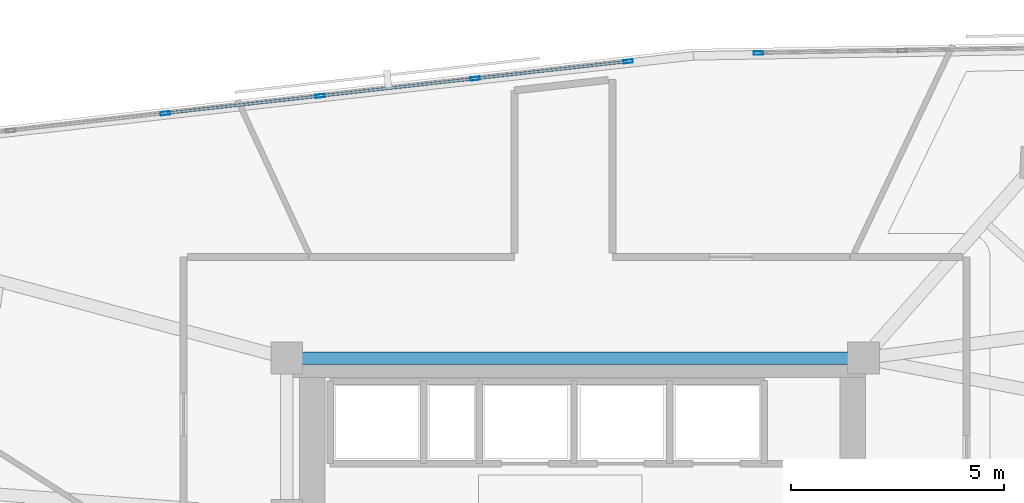
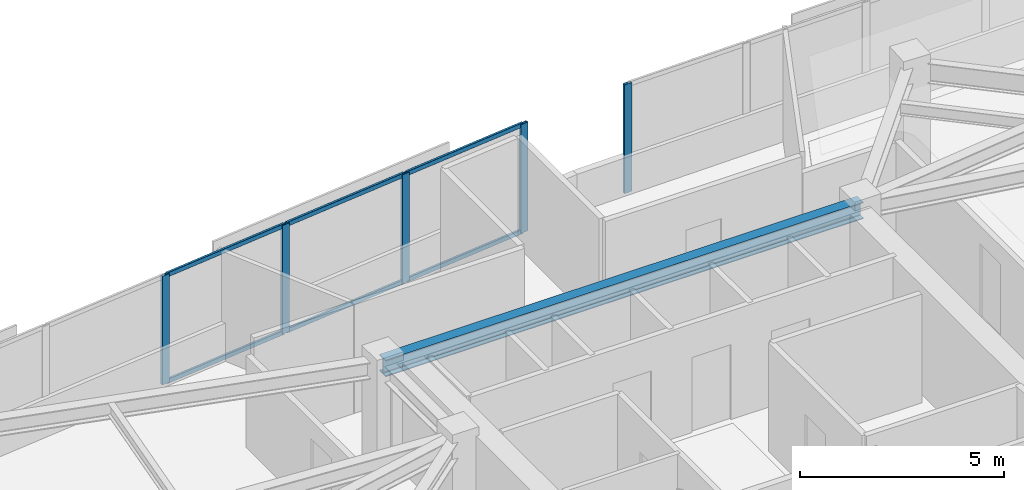
# One storey, part 3 of 13: 11 members, 1 beam, 2 elements without a shape of their own.
"""IFC4 building model written with IfcOpenShell, lengths in metres."""

from ifc_helpers import new_model, si_unit, direction, frame, origin, origin_2d, place, context, subcontext, project, spatial, hollow_rectangle, i_section, extrude, material, material_profile, profile_set, type_object, element, aggregate, save


model = new_model("IFC4")

# Units and contexts
model_context = context("Model", 3, precision=1e-05, world=origin(), true_north=direction((0.0, 1.0)))
body_context = subcontext(model_context, "Body", "Model", "MODEL_VIEW")
ifc_project = project(units=[si_unit("LENGTHUNIT", "METRE"), si_unit("AREAUNIT", "SQUARE_METRE"), si_unit("VOLUMEUNIT", "CUBIC_METRE"), si_unit("PLANEANGLEUNIT", "RADIAN"), si_unit("MASSUNIT", "GRAM", prefix="KILO")], contexts=[model_context])

# Site, building, storey
site_placement = place(None, origin())
site = spatial("IfcSite", under=ifc_project, at=site_placement, CompositionType="ELEMENT")
building_placement = place(site_placement, origin())
building = spatial("IfcBuilding", under=site, at=building_placement, Name="Narakoshi Arena Tower", CompositionType="ELEMENT")
storey_placement = place(building_placement, frame((0.0, 0.0, 271.300048828125)))
storey = spatial("IfcBuildingStorey", under=building, at=storey_placement, Name="L74", CompositionType="ELEMENT", Elevation=271.300048828125)

# Beam
ifc_material_1 = material(Name="Structural steel S355J2", Category="steel")
ifc_material_profile_1 = material_profile(ifc_material_1, i_section(OverallWidth=0.300048828125, OverallDepth=0.5, WebThickness=0.014404296875, FlangeThickness=0.028076171875, FilletRadius=0.027099609375, at=origin_2d()), Name="HE500B")
ifc_profile_set_1 = profile_set([ifc_material_profile_1], Name="Structural steel S355J2")
beam_type = type_object("IfcBeamType", Name="BM-PRI-500", PredefinedType="BEAM", material=ifc_profile_set_1)
beam_placement = place(storey_placement, frame((72.0, 56.5, 3.010009765625), z_axis=(1.0, 0.0, 0.0), x_axis=(0.0, 1.0, 0.0)))
element("IfcBeam", 1, at=beam_placement, inside=storey, type_object=beam_type, Name="L74 Core Perimeter Frame Beam CC5-CC6", PredefinedType="BEAM", context=body_context, shape_type="SweptSolid", body=[
    extrude(i_section(OverallWidth=0.300048828125, OverallDepth=0.5, WebThickness=0.014404296875, FlangeThickness=0.028076171875, FilletRadius=0.027099609375, at=origin_2d()), origin(), (0.0, 0.0, 1.0), 13.550048828125),
])

# Curtain wall, member
ifc_material_2 = material(Name="Anodised bronze aluminium 6063-T6", Category="aluminium")
curtain_wall_type = type_object("IfcCurtainWallType", Name="CW-HYP-HIGH", PredefinedType="NOTDEFINED", material=ifc_material_2)
curtain_wall_1_placement = place(storey_placement, origin())
curtain_wall_1 = element("IfcCurtainWall", 2, at=curtain_wall_1_placement, inside=storey, type_object=curtain_wall_type, Name="L74 Folded Hypotenuse Curtain Wall 1-1", PredefinedType="NOTDEFINED")
ifc_material_profile_2 = material_profile(ifc_material_2, hollow_rectangle(XDim=0.080078125, YDim=0.219970703125, WallThickness=0.0048828125, OuterFilletRadius=0.006103515625, at=origin_2d()), Name="MUL220x80x5")
ifc_profile_set_2 = profile_set([ifc_material_profile_2], Name="Anodised bronze aluminium 6063-T6")
member_type_1 = type_object("IfcMemberType", Name="MEM-MUL-220", PredefinedType="MULLION", material=ifc_profile_set_2)
member_1_placement = place(storey_placement, frame((83.08056640625, 63.668212890625, 0.0), z_axis=(0.0, 0.0, 1.0), x_axis=(0.016442997569, -0.999864804777, 0.0)))
member_1 = element("IfcMember", 3, at=member_1_placement, type_object=member_type_1, Name="CW-03 mullion 9", PredefinedType="MULLION", context=body_context, shape_type="SweptSolid", body=[
    extrude(hollow_rectangle(XDim=0.080078125, YDim=0.219970703125, WallThickness=0.0048828125, OuterFilletRadius=0.006103515625, at=origin_2d()), origin(), (0.0, 0.0, 1.0), 3.260009765625),
])
aggregate(curtain_wall_1, [member_1])

# Curtain wall, members
curtain_wall_2_placement = place(storey_placement, origin())
curtain_wall_2 = element("IfcCurtainWall", 4, at=curtain_wall_2_placement, inside=storey, type_object=curtain_wall_type, Name="L74 Folded Hypotenuse Curtain Wall 2-1", PredefinedType="NOTDEFINED")
member_2_placement = place(storey_placement, frame((80.021728515625, 63.471923828125, 0.0), z_axis=(0.0, 0.0, 1.0), x_axis=(0.111396496086, -0.9937760415, 0.0)))
member_2 = element("IfcMember", 5, at=member_2_placement, type_object=member_type_1, Name="CW-03 mullion 1", PredefinedType="MULLION", context=body_context, shape_type="SweptSolid", body=[
    extrude(hollow_rectangle(XDim=0.080078125, YDim=0.219970703125, WallThickness=0.0048828125, OuterFilletRadius=0.006103515625, at=origin_2d()), origin(), (0.0, 0.0, 1.0), 3.260009765625),
])
member_3_placement = place(storey_placement, frame((76.423828125, 63.06884765625, 0.0), z_axis=(0.0, 0.0, 1.0), x_axis=(0.111396496086, -0.9937760415, 0.0)))
member_3 = element("IfcMember", 6, at=member_3_placement, type_object=member_type_1, Name="CW-03 mullion 2", PredefinedType="MULLION", context=body_context, shape_type="SweptSolid", body=[
    extrude(hollow_rectangle(XDim=0.080078125, YDim=0.219970703125, WallThickness=0.0048828125, OuterFilletRadius=0.006103515625, at=origin_2d()), origin(), (0.0, 0.0, 1.0), 3.260009765625),
])
member_4_placement = place(storey_placement, frame((72.786376953125, 62.660888671875, 0.0), z_axis=(0.0, 0.0, 1.0), x_axis=(0.111396496086, -0.9937760415, 0.0)))
member_4 = element("IfcMember", 7, at=member_4_placement, type_object=member_type_1, Name="CW-03 mullion 3", PredefinedType="MULLION", context=body_context, shape_type="SweptSolid", body=[
    extrude(hollow_rectangle(XDim=0.080078125, YDim=0.219970703125, WallThickness=0.0048828125, OuterFilletRadius=0.006103515625, at=origin_2d()), origin(), (0.0, 0.0, 1.0), 3.260009765625),
])
member_5_placement = place(storey_placement, frame((69.148681640625, 62.253173828125, 0.0), z_axis=(0.0, 0.0, 1.0), x_axis=(0.111396496086, -0.9937760415, 0.0)))
member_5 = element("IfcMember", 8, at=member_5_placement, type_object=member_type_1, Name="CW-03 mullion 4", PredefinedType="MULLION", context=body_context, shape_type="SweptSolid", body=[
    extrude(hollow_rectangle(XDim=0.080078125, YDim=0.219970703125, WallThickness=0.0048828125, OuterFilletRadius=0.006103515625, at=origin_2d()), origin(), (0.0, 0.0, 1.0), 3.260009765625),
])
ifc_material_profile_3 = material_profile(ifc_material_2, hollow_rectangle(XDim=0.06494140625, YDim=0.1298828125, WallThickness=0.00390625, OuterFilletRadius=0.0048828125, at=origin_2d()), Name="TRN130x65x4")
ifc_profile_set_3 = profile_set([ifc_material_profile_3], Name="Anodised bronze aluminium 6063-T6")
member_type_2 = type_object("IfcMemberType", Name="MEM-TRN-130", PredefinedType="USERDEFINED", material=ifc_profile_set_3)
member_6_placement = place(storey_placement, frame((79.98193359375, 63.467529296875, 0.032470703125), z_axis=(-0.993779010945, -0.111370002267, 0.0), x_axis=(0.111370002267, -0.993779010945, 0.0)))
member_6 = element("IfcMember", 9, at=member_6_placement, type_object=member_type_2, Name="CW-03 transom 1.1", ObjectType="TRANSOM", PredefinedType="USERDEFINED", context=body_context, shape_type="SweptSolid", body=[
    extrude(hollow_rectangle(XDim=0.06494140625, YDim=0.1298828125, WallThickness=0.00390625, OuterFilletRadius=0.0048828125, at=origin_2d()), origin(), (0.0, 0.0, 1.0), 3.540283203125),
])
member_7_placement = place(storey_placement, frame((79.98193359375, 63.467529296875, 3.2275390625), z_axis=(-0.993779010945, -0.111370002267, 0.0), x_axis=(0.111370002267, -0.993779010945, 0.0)))
member_7 = element("IfcMember", 10, at=member_7_placement, type_object=member_type_2, Name="CW-03 transom 1.2", ObjectType="TRANSOM", PredefinedType="USERDEFINED", context=body_context, shape_type="SweptSolid", body=[
    extrude(hollow_rectangle(XDim=0.06494140625, YDim=0.1298828125, WallThickness=0.00390625, OuterFilletRadius=0.0048828125, at=origin_2d()), origin(), (0.0, 0.0, 1.0), 3.540283203125),
])
member_8_placement = place(storey_placement, frame((76.38427734375, 63.064208984375, 0.032470703125), z_axis=(-0.993781025425, -0.111352025149, 0.0), x_axis=(0.111352025149, -0.993781025425, 0.0)))
member_8 = element("IfcMember", 11, at=member_8_placement, type_object=member_type_2, Name="CW-03 transom 2.1", ObjectType="TRANSOM", PredefinedType="USERDEFINED", context=body_context, shape_type="SweptSolid", body=[
    extrude(hollow_rectangle(XDim=0.06494140625, YDim=0.1298828125, WallThickness=0.00390625, OuterFilletRadius=0.0048828125, at=origin_2d()), origin(), (0.0, 0.0, 1.0), 3.580322265625),
])
member_9_placement = place(storey_placement, frame((76.38427734375, 63.064208984375, 3.2275390625), z_axis=(-0.993781025425, -0.111352025149, 0.0), x_axis=(0.111352025149, -0.993781025425, 0.0)))
member_9 = element("IfcMember", 12, at=member_9_placement, type_object=member_type_2, Name="CW-03 transom 2.2", ObjectType="TRANSOM", PredefinedType="USERDEFINED", context=body_context, shape_type="SweptSolid", body=[
    extrude(hollow_rectangle(XDim=0.06494140625, YDim=0.1298828125, WallThickness=0.00390625, OuterFilletRadius=0.0048828125, at=origin_2d()), origin(), (0.0, 0.0, 1.0), 3.580322265625),
])
member_10_placement = place(storey_placement, frame((72.74658203125, 62.656494140625, 0.032470703125), z_axis=(-0.993781025425, -0.111352025149, 0.0), x_axis=(0.111352025149, -0.993781025425, 0.0)))
member_10 = element("IfcMember", 13, at=member_10_placement, type_object=member_type_2, Name="CW-03 transom 3.1", ObjectType="TRANSOM", PredefinedType="USERDEFINED", context=body_context, shape_type="SweptSolid", body=[
    extrude(hollow_rectangle(XDim=0.06494140625, YDim=0.1298828125, WallThickness=0.00390625, OuterFilletRadius=0.0048828125, at=origin_2d()), origin(), (0.0, 0.0, 1.0), 3.580322265625),
])
member_11_placement = place(storey_placement, frame((72.74658203125, 62.656494140625, 3.2275390625), z_axis=(-0.993781025425, -0.111352025149, 0.0), x_axis=(0.111352025149, -0.993781025425, 0.0)))
member_11 = element("IfcMember", 14, at=member_11_placement, type_object=member_type_2, Name="CW-03 transom 3.2", ObjectType="TRANSOM", PredefinedType="USERDEFINED", context=body_context, shape_type="SweptSolid", body=[
    extrude(hollow_rectangle(XDim=0.06494140625, YDim=0.1298828125, WallThickness=0.00390625, OuterFilletRadius=0.0048828125, at=origin_2d()), origin(), (0.0, 0.0, 1.0), 3.580322265625),
])
aggregate(curtain_wall_2, [member_2, member_3, member_4, member_5, member_6, member_7, member_8, member_9, member_10, member_11])

save(model, "model.ifc")
